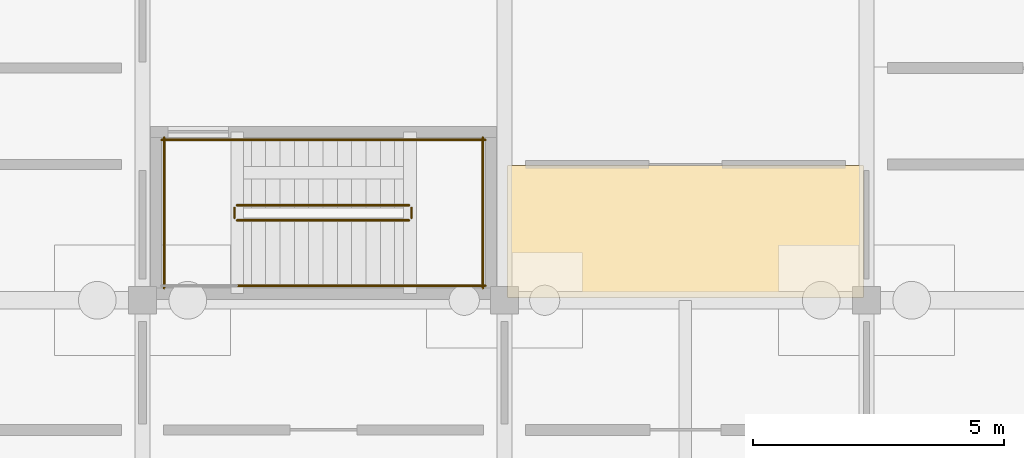
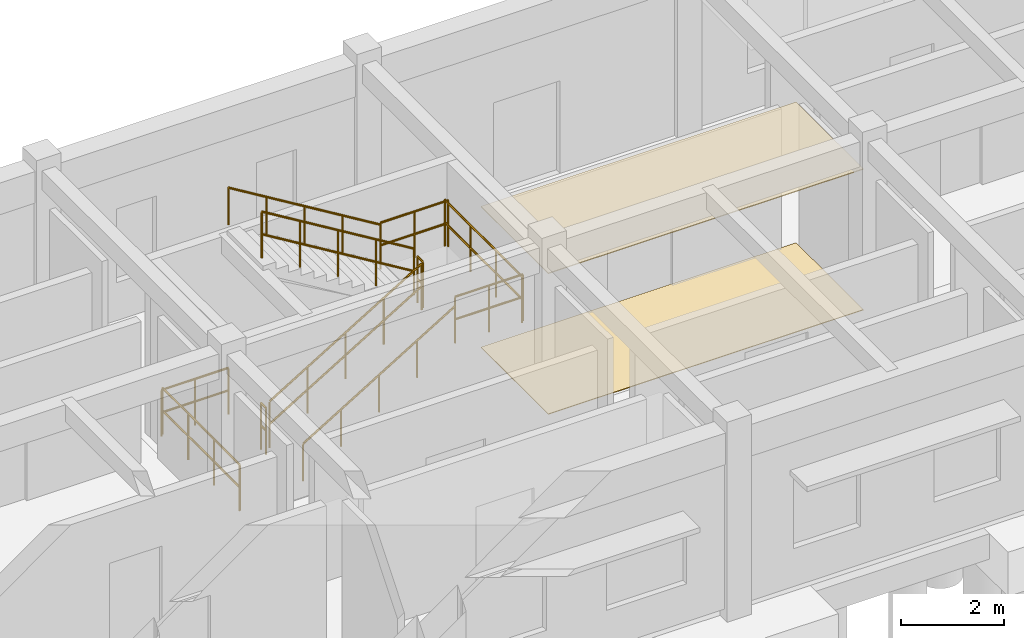
# One storey, part 106 of 111: 11 railings, 2 coverings.
"""IFC4 building model written with IfcOpenShell, lengths in metres."""

from ifc_helpers import new_model, si_unit, direction, frame, origin, origin_2d, place, context, subcontext, project, spatial, polyline, circle, outline, extrude, material, layer, layer_set, type_object, element, save


model = new_model("IFC4")

# Units and contexts
model_context = context("Model", 3, precision=1e-05, world=origin(), true_north=direction((0.0, 1.0)))
body_context = subcontext(model_context, "Body", "Model", "MODEL_VIEW")
ifc_project = project(units=[si_unit("LENGTHUNIT", "METRE"), si_unit("AREAUNIT", "SQUARE_METRE"), si_unit("VOLUMEUNIT", "CUBIC_METRE"), si_unit("PLANEANGLEUNIT", "RADIAN"), si_unit("MASSUNIT", "GRAM", prefix="KILO")], contexts=[model_context])

# Site, building, storey
site_placement = place(None, origin())
site = spatial("IfcSite", under=ifc_project, at=site_placement, CompositionType="ELEMENT")
building_placement = place(site_placement, origin())
building = spatial("IfcBuilding", under=site, at=building_placement, Name="Aldebral Square Health Centre", CompositionType="ELEMENT")
storey_placement = place(building_placement, origin())
storey = spatial("IfcBuildingStorey", under=building, at=storey_placement, Name="L00", CompositionType="ELEMENT", Elevation=0.0)

# Coverings
ifc_material_1 = material(Name="Hygienic acoustic mineral ceiling tile")
ifc_layer_1 = layer(ifc_material_1, 0.02001953125, Name="Hygienic acoustic mineral ceiling tile")
ifc_layer_set_1 = layer_set([ifc_layer_1], Name="Hygienic acoustic mineral ceiling tile")
covering_type_1 = type_object("IfcCoveringType", Name="COV-CLG-AC", PredefinedType="CEILING", material=ifc_layer_set_1)
covering_1_placement = place(storey_placement, frame((0.0, 0.0, 3.340087890625)))
element("IfcCovering", 1, at=covering_1_placement, inside=storey, type_object=covering_type_1, Name="L00 Maternal-Child Clinic 18.15S acoustic ceiling", PredefinedType="CEILING", context=body_context, shape_type="SweptSolid", body=[
    extrude(outline(polyline([(122.4599609375, 100.860107421875), (129.5400390625, 100.860107421875), (129.5400390625, 103.47998046875), (122.4599609375, 103.47998046875), (122.4599609375, 100.860107421875)])), origin(), (0.0, 0.0, 1.0), 0.02001953125),
])
ifc_material_2 = material(Name="Antimicrobial clinical vinyl flooring")
ifc_layer_2 = layer(ifc_material_2, 0.014892578125, Name="Antimicrobial clinical vinyl flooring")
ifc_layer_set_2 = layer_set([ifc_layer_2], Name="Antimicrobial clinical vinyl flooring")
covering_type_2 = type_object("IfcCoveringType", Name="COV-FLR-VN", PredefinedType="FLOORING", material=ifc_layer_set_2)
covering_2_placement = place(storey_placement, origin())
element("IfcCovering", 2, at=covering_2_placement, inside=storey, type_object=covering_type_2, Name="L00 Maternal-Child Clinic 18.15S clinical flooring", PredefinedType="FLOORING", context=body_context, shape_type="SweptSolid", body=[
    extrude(outline(polyline([(122.4599609375, 100.860107421875), (129.5400390625, 100.860107421875), (129.5400390625, 103.47998046875), (122.4599609375, 103.47998046875), (122.4599609375, 100.860107421875)])), origin(), (0.0, 0.0, 1.0), 0.014892578125),
])

# Railings
ifc_material_3 = material(Name="Painted steel S355JR stair guard", Category="steel")
railing_type_1 = type_object("IfcRailingType", Name="RL-ST-GRD", PredefinedType="GUARDRAIL", material=ifc_material_3)
railing_1_placement = place(storey_placement, frame((117.080078125, 102.389892578125, 0.173095703125)))
element("IfcRailing", 3, at=railing_1_placement, inside=storey, type_object=railing_type_1, Name="L00 ST-10 stair guard 1", PredefinedType="GUARDRAIL", context=body_context, shape_type="SweptSolid", body=[
    extrude(circle(Radius=0.02392578125, at=origin_2d()), frame((0.0, 0.0, 1.09619140625), z_axis=(0.854729506542, 0.0, 0.519073665916), x_axis=(0.0, 1.0, 0.0)), (0.0, 0.0, 1.0), 4.001220703125),
    extrude(circle(Radius=0.02392578125, at=origin_2d()), frame((0.0, 0.0, 0.56005859375), z_axis=(0.854729506542, 0.0, 0.519073665916), x_axis=(0.0, 1.0, 0.0)), (0.0, 0.0, 1.0), 4.001220703125),
    extrude(circle(Radius=0.02099609375, at=origin_2d()), origin(), (0.0, 0.0, 1.0), 1.072021484375),
    extrude(circle(Radius=0.02099609375, at=origin_2d()), frame((0.85498046875, 0.0, 0.519287109375)), (0.0, 0.0, 1.0), 1.072021484375),
    extrude(circle(Radius=0.02099609375, at=origin_2d()), frame((1.7099609375, 0.0, 1.03857421875)), (0.0, 0.0, 1.0), 1.072021484375),
    extrude(circle(Radius=0.02099609375, at=origin_2d()), frame((2.56494140625, 0.0, 1.5576171875)), (0.0, 0.0, 1.0), 1.072021484375),
    extrude(circle(Radius=0.02099609375, at=origin_2d()), frame((3.419921875, 0.0, 2.076904296875)), (0.0, 0.0, 1.0), 1.072021484375),
])
railing_2_placement = place(storey_placement, frame((120.550048828125, 102.43994140625, 2.25)))
element("IfcRailing", 4, at=railing_2_placement, inside=storey, type_object=railing_type_1, Name="L00 ST-10 stair guard 2", PredefinedType="GUARDRAIL", context=body_context, shape_type="SweptSolid", body=[
    extrude(circle(Radius=0.02392578125, at=origin_2d()), frame((0.0, 0.0, 1.09619140625), z_axis=(0.0, 1.0, 0.0), x_axis=(-1.0, 0.0, 0.0)), (0.0, 0.0, 1.0), 0.199951171875),
    extrude(circle(Radius=0.02392578125, at=origin_2d()), frame((0.0, 0.0, 0.56005859375), z_axis=(0.0, 1.0, 0.0), x_axis=(-1.0, 0.0, 0.0)), (0.0, 0.0, 1.0), 0.199951171875),
    extrude(circle(Radius=0.02099609375, at=origin_2d()), origin(), (0.0, 0.0, 1.0), 1.072021484375),
    extrude(circle(Radius=0.02099609375, at=origin_2d()), frame((0.0, 0.199951171875, 0.0)), (0.0, 0.0, 1.0), 1.072021484375),
])
for number, where, name in (
    (5, (120.5, 101.090087890625, 2.25), "L00 ST-10 stair guard 3"),
    (6, (120.5, 103.989990234375, 2.25), "L00 ST-10 stair guard 4"),
):
    element("IfcRailing", number, at=place(storey_placement, frame(where)), inside=storey, type_object=railing_type_1, Name=name, PredefinedType="GUARDRAIL", context=body_context, shape_type="SweptSolid", body=[
        extrude(circle(Radius=0.02392578125, at=origin_2d()), frame((0.0, 0.0, 1.09619140625), z_axis=(1.0, 0.0, 0.0), x_axis=(0.0, 1.0, 0.0)), (0.0, 0.0, 1.0), 1.52001953125),
        extrude(circle(Radius=0.02392578125, at=origin_2d()), frame((0.0, 0.0, 0.56005859375), z_axis=(1.0, 0.0, 0.0), x_axis=(0.0, 1.0, 0.0)), (0.0, 0.0, 1.0), 1.52001953125),
        extrude(circle(Radius=0.02099609375, at=origin_2d()), origin(), (0.0, 0.0, 1.0), 1.072021484375),
        extrude(circle(Radius=0.02099609375, at=origin_2d()), frame((0.760009765625, 0.0, 0.0)), (0.0, 0.0, 1.0), 1.072021484375),
        extrude(circle(Radius=0.02099609375, at=origin_2d()), frame((1.52001953125, 0.0, 0.0)), (0.0, 0.0, 1.0), 1.072021484375),
    ])
railing_3_placement = place(storey_placement, frame((121.969970703125, 101.0400390625, 2.25)))
element("IfcRailing", 7, at=railing_3_placement, inside=storey, type_object=railing_type_1, Name="L00 ST-10 stair guard 5", PredefinedType="GUARDRAIL", context=body_context, shape_type="SweptSolid", body=[
    extrude(circle(Radius=0.02392578125, at=origin_2d()), frame((0.0, 0.0, 1.09619140625), z_axis=(0.0, 1.0, 0.0), x_axis=(-1.0, 0.0, 0.0)), (0.0, 0.0, 1.0), 3.0),
    extrude(circle(Radius=0.02392578125, at=origin_2d()), frame((0.0, 0.0, 0.56005859375), z_axis=(0.0, 1.0, 0.0), x_axis=(-1.0, 0.0, 0.0)), (0.0, 0.0, 1.0), 3.0),
    extrude(circle(Radius=0.02099609375, at=origin_2d()), origin(), (0.0, 0.0, 1.0), 1.072021484375),
    extrude(circle(Radius=0.02099609375, at=origin_2d()), frame((0.0, 1.0, 0.0)), (0.0, 0.0, 1.0), 1.072021484375),
    extrude(circle(Radius=0.02099609375, at=origin_2d()), frame((0.0, 2.0, 0.0)), (0.0, 0.0, 1.0), 1.072021484375),
    extrude(circle(Radius=0.02099609375, at=origin_2d()), frame((0.0, 3.0, 0.0)), (0.0, 0.0, 1.0), 1.072021484375),
])
railing_4_placement = place(storey_placement, frame((120.5, 102.68994140625, 2.423095703125)))
element("IfcRailing", 8, at=railing_4_placement, inside=storey, type_object=railing_type_1, Name="L00 ST-10 stair guard 6", PredefinedType="GUARDRAIL", context=body_context, shape_type="SweptSolid", body=[
    extrude(circle(Radius=0.02392578125, at=origin_2d()), frame((0.0, 0.0, 1.09619140625), z_axis=(-0.854729506542, 0.0, 0.519073665916), x_axis=(0.0, -1.0, 0.0)), (0.0, 0.0, 1.0), 4.001220703125),
    extrude(circle(Radius=0.02392578125, at=origin_2d()), frame((0.0, 0.0, 0.56005859375), z_axis=(-0.854729506542, 0.0, 0.519073665916), x_axis=(0.0, -1.0, 0.0)), (0.0, 0.0, 1.0), 4.001220703125),
    extrude(circle(Radius=0.02099609375, at=origin_2d()), origin(), (0.0, 0.0, 1.0), 1.072021484375),
    extrude(circle(Radius=0.02099609375, at=origin_2d()), frame((-0.85498046875, 0.0, 0.519287109375)), (0.0, 0.0, 1.0), 1.072021484375),
    extrude(circle(Radius=0.02099609375, at=origin_2d()), frame((-1.7099609375, 0.0, 1.03857421875)), (0.0, 0.0, 1.0), 1.072021484375),
    extrude(circle(Radius=0.02099609375, at=origin_2d()), frame((-2.56494140625, 0.0, 1.5576171875)), (0.0, 0.0, 1.0), 1.072021484375),
    extrude(circle(Radius=0.02099609375, at=origin_2d()), frame((-3.419921875, 0.0, 2.076904296875)), (0.0, 0.0, 1.0), 1.072021484375),
])
railing_5_placement = place(storey_placement, frame((117.030029296875, 102.43994140625, 0.0)))
element("IfcRailing", 9, at=railing_5_placement, inside=storey, type_object=railing_type_1, Name="L00 ST-10 stair guard 7", PredefinedType="GUARDRAIL", context=body_context, shape_type="SweptSolid", body=[
    extrude(circle(Radius=0.02392578125, at=origin_2d()), frame((0.0, 0.0, 1.09619140625), z_axis=(0.0, 1.0, 0.0), x_axis=(-1.0, 0.0, 0.0)), (0.0, 0.0, 1.0), 0.199951171875),
    extrude(circle(Radius=0.02392578125, at=origin_2d()), frame((0.0, 0.0, 0.56005859375), z_axis=(0.0, 1.0, 0.0), x_axis=(-1.0, 0.0, 0.0)), (0.0, 0.0, 1.0), 0.199951171875),
    extrude(circle(Radius=0.02099609375, at=origin_2d()), origin(), (0.0, 0.0, 1.0), 1.072021484375),
    extrude(circle(Radius=0.02099609375, at=origin_2d()), frame((0.0, 0.199951171875, 0.0)), (0.0, 0.0, 1.0), 1.072021484375),
])
railing_6_placement = place(storey_placement, frame((115.580078125, 103.989990234375, 0.0)))
element("IfcRailing", 10, at=railing_6_placement, inside=storey, type_object=railing_type_1, Name="L00 ST-10 stair guard 9", PredefinedType="GUARDRAIL", context=body_context, shape_type="SweptSolid", body=[
    extrude(circle(Radius=0.02392578125, at=origin_2d()), frame((0.0, 0.0, 1.09619140625), z_axis=(1.0, 0.0, 0.0), x_axis=(0.0, 1.0, 0.0)), (0.0, 0.0, 1.0), 1.5),
    extrude(circle(Radius=0.02392578125, at=origin_2d()), frame((0.0, 0.0, 0.56005859375), z_axis=(1.0, 0.0, 0.0), x_axis=(0.0, 1.0, 0.0)), (0.0, 0.0, 1.0), 1.5),
    extrude(circle(Radius=0.02099609375, at=origin_2d()), origin(), (0.0, 0.0, 1.0), 1.072021484375),
    extrude(circle(Radius=0.02099609375, at=origin_2d()), frame((0.75, 0.0, 0.0)), (0.0, 0.0, 1.0), 1.072021484375),
    extrude(circle(Radius=0.02099609375, at=origin_2d()), frame((1.5, 0.0, 0.0)), (0.0, 0.0, 1.0), 1.072021484375),
])
railing_7_placement = place(storey_placement, frame((115.6298828125, 101.0400390625, 0.0)))
element("IfcRailing", 11, at=railing_7_placement, inside=storey, type_object=railing_type_1, Name="L00 ST-10 stair guard 10", PredefinedType="GUARDRAIL", context=body_context, shape_type="SweptSolid", body=[
    extrude(circle(Radius=0.02392578125, at=origin_2d()), frame((0.0, 0.0, 1.09619140625), z_axis=(0.0, 1.0, 0.0), x_axis=(-1.0, 0.0, 0.0)), (0.0, 0.0, 1.0), 3.0),
    extrude(circle(Radius=0.02392578125, at=origin_2d()), frame((0.0, 0.0, 0.56005859375), z_axis=(0.0, 1.0, 0.0), x_axis=(-1.0, 0.0, 0.0)), (0.0, 0.0, 1.0), 3.0),
    extrude(circle(Radius=0.02099609375, at=origin_2d()), origin(), (0.0, 0.0, 1.0), 1.072021484375),
    extrude(circle(Radius=0.02099609375, at=origin_2d()), frame((0.0, 1.0, 0.0)), (0.0, 0.0, 1.0), 1.072021484375),
    extrude(circle(Radius=0.02099609375, at=origin_2d()), frame((0.0, 2.0, 0.0)), (0.0, 0.0, 1.0), 1.072021484375),
    extrude(circle(Radius=0.02099609375, at=origin_2d()), frame((0.0, 3.0, 0.0)), (0.0, 0.0, 1.0), 1.072021484375),
])
ifc_material_4 = material(Name="Brushed stainless steel handrail", Category="steel")
railing_type_2 = type_object("IfcRailingType", Name="RL-ST-HND", PredefinedType="HANDRAIL", material=ifc_material_4)
railing_8_placement = place(storey_placement, frame((117.080078125, 101.090087890625, 0.173095703125)))
element("IfcRailing", 12, at=railing_8_placement, inside=storey, type_object=railing_type_2, Name="L00 ST-10 stair handrail 1", PredefinedType="HANDRAIL", context=body_context, shape_type="SweptSolid", body=[
    extrude(circle(Radius=0.02392578125, at=origin_2d()), frame((0.0, 0.0, 0.8759765625), z_axis=(0.854729506542, 0.0, 0.519073665916), x_axis=(0.0, 1.0, 0.0)), (0.0, 0.0, 1.0), 4.001220703125),
    extrude(circle(Radius=0.02099609375, at=origin_2d()), origin(), (0.0, 0.0, 1.0), 0.851806640625),
    extrude(circle(Radius=0.02099609375, at=origin_2d()), frame((0.85498046875, 0.0, 0.519287109375)), (0.0, 0.0, 1.0), 0.851806640625),
    extrude(circle(Radius=0.02099609375, at=origin_2d()), frame((1.7099609375, 0.0, 1.03857421875)), (0.0, 0.0, 1.0), 0.851806640625),
    extrude(circle(Radius=0.02099609375, at=origin_2d()), frame((2.56494140625, 0.0, 1.5576171875)), (0.0, 0.0, 1.0), 0.851806640625),
    extrude(circle(Radius=0.02099609375, at=origin_2d()), frame((3.419921875, 0.0, 2.076904296875)), (0.0, 0.0, 1.0), 0.851806640625),
])
railing_9_placement = place(storey_placement, frame((120.5, 103.989990234375, 2.423095703125)))
element("IfcRailing", 13, at=railing_9_placement, inside=storey, type_object=railing_type_2, Name="L00 ST-10 stair handrail 2", PredefinedType="HANDRAIL", context=body_context, shape_type="SweptSolid", body=[
    extrude(circle(Radius=0.02392578125, at=origin_2d()), frame((0.0, 0.0, 0.8759765625), z_axis=(-0.854729506542, 0.0, 0.519073665916), x_axis=(0.0, -1.0, 0.0)), (0.0, 0.0, 1.0), 4.001220703125),
    extrude(circle(Radius=0.02099609375, at=origin_2d()), origin(), (0.0, 0.0, 1.0), 0.851806640625),
    extrude(circle(Radius=0.02099609375, at=origin_2d()), frame((-0.85498046875, 0.0, 0.519287109375)), (0.0, 0.0, 1.0), 0.851806640625),
    extrude(circle(Radius=0.02099609375, at=origin_2d()), frame((-1.7099609375, 0.0, 1.03857421875)), (0.0, 0.0, 1.0), 0.851806640625),
    extrude(circle(Radius=0.02099609375, at=origin_2d()), frame((-2.56494140625, 0.0, 1.5576171875)), (0.0, 0.0, 1.0), 0.851806640625),
    extrude(circle(Radius=0.02099609375, at=origin_2d()), frame((-3.419921875, 0.0, 2.076904296875)), (0.0, 0.0, 1.0), 0.851806640625),
])

save(model, "model.ifc")
